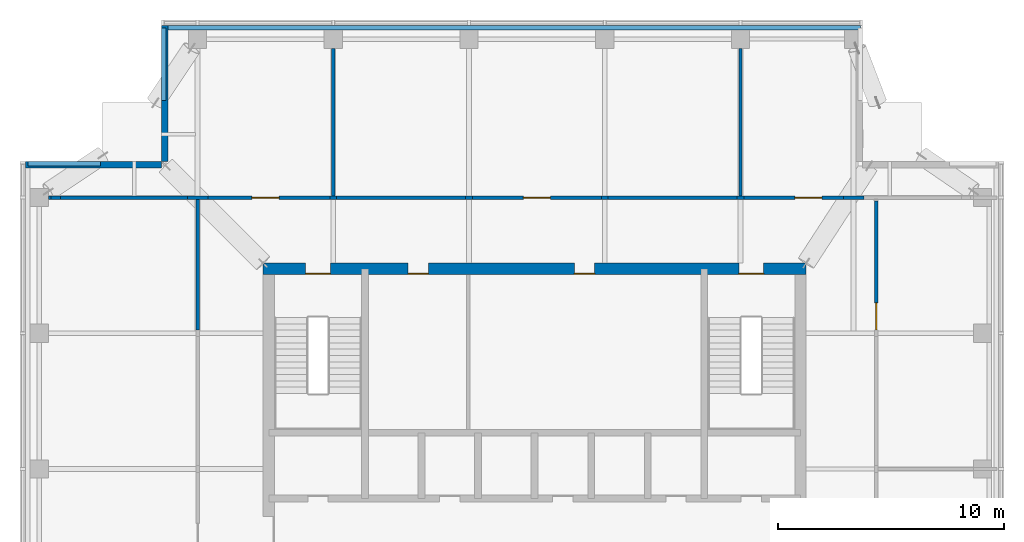
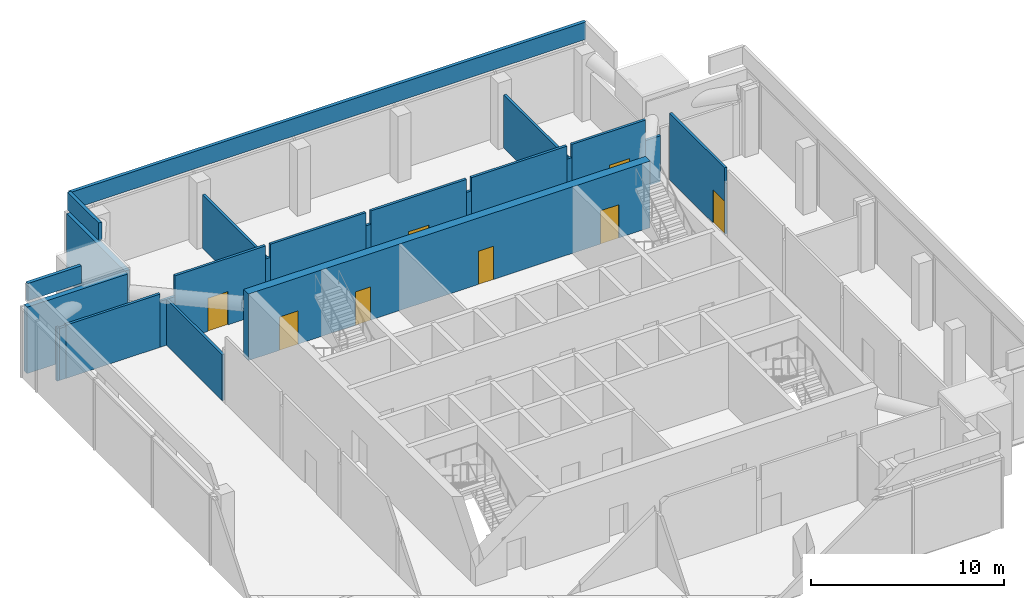
# One storey, part 6 of 11: 24 walls, 8 doors, 8 openings.
"""IFC4 building model written with IfcOpenShell, lengths in metres."""

from ifc_helpers import new_model, si_unit, direction, frame, frame_2d, origin, place, context, subcontext, project, spatial, rectangle, extrude, material, layer, layer_set, type_object, element, fill, save


model = new_model("IFC4")

# Units and contexts
model_context = context("Model", 3, precision=1e-05, world=origin(), true_north=direction((0.0, 1.0)))
body_context = subcontext(model_context, "Body", "Model", "MODEL_VIEW")
ifc_project = project(units=[si_unit("LENGTHUNIT", "METRE"), si_unit("AREAUNIT", "SQUARE_METRE"), si_unit("VOLUMEUNIT", "CUBIC_METRE"), si_unit("PLANEANGLEUNIT", "RADIAN"), si_unit("MASSUNIT", "GRAM", prefix="KILO")], contexts=[model_context])

# Site, building, storey
site_placement = place(None, origin())
site = spatial("IfcSite", under=ifc_project, at=site_placement, CompositionType="ELEMENT")
building_placement = place(site_placement, origin())
building = spatial("IfcBuilding", under=site, at=building_placement, Name="Amberfall Residences", CompositionType="ELEMENT")
storey_placement = place(building_placement, frame((0.0, 0.0, 286.300048828125)))
storey = spatial("IfcBuildingStorey", under=building, at=storey_placement, Name="L77 Crown", CompositionType="ELEMENT", Elevation=286.300048828125)

# Wall, openings, doors
ifc_material_1 = material(Name="Concrete C50", Category="concrete")
ifc_layer_1 = layer(ifc_material_1, 0.5)
ifc_layer_set_1 = layer_set([ifc_layer_1], Name="Core wall 500 C50")
wall_type_1 = type_object("IfcWallType", Name="Core wall 500 C50", PredefinedType="SHEAR", material=ifc_layer_set_1)
wall_1_placement = place(storey_placement, frame((62.5, 57.25, 0.0), z_axis=(0.0, 0.0, 1.0), x_axis=(1.0, 0.0, 0.0)))
wall_1 = element("IfcWall", 1, at=wall_1_placement, inside=storey, type_object=wall_type_1, Name="Core wall RW9 L77 Crown ON", PredefinedType="SHEAR", context=body_context, shape_type="SweptSolid", body=[
    extrude(rectangle(XDim=24.0, YDim=0.5, at=frame_2d((12.0, 0.0))), origin(), (0.0, 0.0, 1.0), 4.199951171875),
])
opening_1_placement = place(wall_1_placement, frame((21.02490234375, 0.0, 0.0)))
opening_1 = element("IfcOpeningElement", 2, at=opening_1_placement, cuts=wall_1, Name="Opening SD1", PredefinedType="OPENING", context=body_context, shape_type="SweptSolid", body=[
    extrude(rectangle(XDim=1.10009765625, YDim=2.10009765625, at=frame_2d((0.550048828125, 1.050048828125))), frame((0.0, 0.260009765625, 0.0), z_axis=(0.0, -1.0, 0.0), x_axis=(1.0, 0.0, 0.0)), (0.0, 0.0, 1.0), 0.52001953125),
])
opening_2_placement = place(wall_1_placement, frame((1.875, 0.0, 0.0)))
opening_2 = element("IfcOpeningElement", 3, at=opening_2_placement, cuts=wall_1, Name="Opening SD1", PredefinedType="OPENING", context=body_context, shape_type="SweptSolid", body=[
    extrude(rectangle(XDim=1.10009765625, YDim=2.10009765625, at=frame_2d((0.550048828125, 1.050048828125))), frame((0.0, 0.260009765625, 0.0), z_axis=(0.0, -1.0, 0.0), x_axis=(1.0, 0.0, 0.0)), (0.0, 0.0, 1.0), 0.52001953125),
])
opening_3_placement = place(wall_1_placement, frame((6.405029296875, 0.0, 0.0)))
opening_3 = element("IfcOpeningElement", 4, at=opening_3_placement, cuts=wall_1, Name="Opening RD1", PredefinedType="OPENING", context=body_context, shape_type="SweptSolid", body=[
    extrude(rectangle(XDim=0.89990234375, YDim=2.10009765625, at=frame_2d((0.449951171875, 1.050048828125))), frame((0.0, 0.260009765625, 0.0), z_axis=(0.0, -1.0, 0.0), x_axis=(1.0, 0.0, 0.0)), (0.0, 0.0, 1.0), 0.52001953125),
])
opening_4_placement = place(wall_1_placement, frame((13.7548828125, 0.0, 0.0)))
opening_4 = element("IfcOpeningElement", 5, at=opening_4_placement, cuts=wall_1, Name="Opening RD1", PredefinedType="OPENING", context=body_context, shape_type="SweptSolid", body=[
    extrude(rectangle(XDim=0.89990234375, YDim=2.10009765625, at=frame_2d((0.449951171875, 1.050048828125))), frame((0.0, 0.260009765625, 0.0), z_axis=(0.0, -1.0, 0.0), x_axis=(1.0, 0.0, 0.0)), (0.0, 0.0, 1.0), 0.52001953125),
])
ifc_material_2 = material(Name="Steel fire door set", Category="steel")
door_type_1 = type_object("IfcDoorType", Name="Service room door 900 x 2100", OperationType="SINGLE_SWING_LEFT", PredefinedType="DOOR", material=ifc_material_2)
door_1_placement = place(opening_3_placement, origin())
door_1 = element("IfcDoor", 6, at=door_1_placement, inside=storey, type_object=door_type_1, Name="RD1 L77 Crown", OperationType="SINGLE_SWING_RIGHT", OverallHeight=2.10009765625, OverallWidth=0.89990234375, PredefinedType="DOOR", context=body_context, shape_type="SweptSolid", body=[
    extrude(rectangle(XDim=0.89990234375, YDim=2.10009765625, at=frame_2d((0.449951171875, 1.050048828125))), frame((0.0, -0.1875, 0.0), z_axis=(0.0, -1.0, 0.0), x_axis=(1.0, 0.0, 0.0)), (0.0, 0.0, 1.0), 0.050048828125),
])
fill(opening_3, door_1)
door_2_placement = place(opening_4_placement, origin())
door_2 = element("IfcDoor", 7, at=door_2_placement, inside=storey, type_object=door_type_1, Name="RD1 L77 Crown", OperationType="SINGLE_SWING_RIGHT", OverallHeight=2.10009765625, OverallWidth=0.89990234375, PredefinedType="DOOR", context=body_context, shape_type="SweptSolid", body=[
    extrude(rectangle(XDim=0.89990234375, YDim=2.10009765625, at=frame_2d((0.449951171875, 1.050048828125))), frame((0.0, -0.1875, 0.0), z_axis=(0.0, -1.0, 0.0), x_axis=(1.0, 0.0, 0.0)), (0.0, 0.0, 1.0), 0.050048828125),
])
fill(opening_4, door_2)
door_type_2 = type_object("IfcDoorType", Name="Stair door 1100 x 2100", OperationType="SINGLE_SWING_LEFT", PredefinedType="DOOR", material=ifc_material_2)
door_3_placement = place(opening_1_placement, origin())
door_3 = element("IfcDoor", 8, at=door_3_placement, inside=storey, type_object=door_type_2, Name="SD1 L77 Crown", OperationType="SINGLE_SWING_RIGHT", OverallHeight=2.10009765625, OverallWidth=1.10009765625, PredefinedType="DOOR", context=body_context, shape_type="SweptSolid", body=[
    extrude(rectangle(XDim=1.10009765625, YDim=2.10009765625, at=frame_2d((0.550048828125, 1.050048828125))), frame((0.0, -0.1875, 0.0), z_axis=(0.0, -1.0, 0.0), x_axis=(1.0, 0.0, 0.0)), (0.0, 0.0, 1.0), 0.050048828125),
])
fill(opening_1, door_3)
door_4_placement = place(opening_2_placement, origin())
door_4 = element("IfcDoor", 9, at=door_4_placement, inside=storey, type_object=door_type_2, Name="SD1 L77 Crown", OperationType="SINGLE_SWING_LEFT", OverallHeight=2.10009765625, OverallWidth=1.10009765625, PredefinedType="DOOR", context=body_context, shape_type="SweptSolid", body=[
    extrude(rectangle(XDim=1.10009765625, YDim=2.10009765625, at=frame_2d((0.550048828125, 1.050048828125))), frame((0.0, -0.1875, 0.0), z_axis=(0.0, -1.0, 0.0), x_axis=(1.0, 0.0, 0.0)), (0.0, 0.0, 1.0), 0.050048828125),
])
fill(opening_2, door_4)

# Walls
ifc_material_3 = material(Name="Bronze aluminium louvre cladding on insulated backing", Category="aluminium")
ifc_layer_2 = layer(ifc_material_3, 0.300048828125)
ifc_layer_set_2 = layer_set([ifc_layer_2], Name="Louvre clad wall 300")
wall_type_2 = type_object("IfcWallType", Name="Louvre clad wall 300", PredefinedType="SOLIDWALL", material=ifc_layer_set_2)
for number, where, z_axis, x_axis, name in (
    (10, (58.14990234375, 68.0, 0.0), (0.0, 0.0, 1.0), (0.0, -1.0, 0.0), "External wall L77 Crown NW"),
    (11, (58.0, 61.85009765625, 0.0), (0.0, 0.0, 1.0), (-1.0, 0.0, 0.0), "External wall L77 Crown NW"),
):
    element("IfcWall", number, at=place(storey_placement, frame(where, z_axis=z_axis, x_axis=x_axis)), inside=storey, type_object=wall_type_2, Name=name, PredefinedType="SOLIDWALL", context=body_context, shape_type="SweptSolid", body=[
        extrude(rectangle(XDim=6.0, YDim=0.300048828125, at=frame_2d((3.0, 0.0))), origin(), (0.0, 0.0, 1.0), 4.199951171875),
    ])
ifc_material_4 = material(Name="Fire-rated gypsum board on steel studs", Category="steel")
ifc_layer_3 = layer(ifc_material_4, 0.14990234375)
ifc_layer_set_3 = layer_set([ifc_layer_3], Name="Partition 150 fire-rated")
wall_type_3 = type_object("IfcWallType", Name="Partition 150 fire-rated", PredefinedType="PARTITIONING", material=ifc_layer_set_3)
wall_2_placement = place(storey_placement, frame((53.0, 60.39990234375, 0.0), z_axis=(0.0, 0.0, 1.0), x_axis=(1.0, 0.0, 0.0)))
element("IfcWall", 12, at=wall_2_placement, inside=storey, type_object=wall_type_3, Name="Partition 150 fire-rated L77 Crown 015", PredefinedType="PARTITIONING", context=body_context, shape_type="SweptSolid", body=[
    extrude(rectangle(XDim=0.127685546875, YDim=0.14990234375, at=frame_2d((0.06396484375, 0.0))), origin(), (0.0, 0.0, 1.0), 3.364990234375),
])
wall_3_placement = place(storey_placement, frame((53.127685546875, 60.39990234375, 0.0), z_axis=(0.0, 0.0, 1.0), x_axis=(1.0, 0.0, 0.0)))
element("IfcWall", 13, at=wall_3_placement, inside=storey, type_object=wall_type_3, Name="Partition 150 fire-rated L77 Crown 016", PredefinedType="PARTITIONING", context=body_context, shape_type="SweptSolid", body=[
    extrude(rectangle(XDim=0.408935546875, YDim=0.14990234375, at=frame_2d((0.20458984375, 0.0))), origin(), (0.0, 0.0, 1.0), 3.285888671875),
])
wall_4_placement = place(storey_placement, frame((53.53662109375, 60.39990234375, 0.0), z_axis=(0.0, 0.0, 1.0), x_axis=(1.0, 0.0, 0.0)))
element("IfcWall", 14, at=wall_4_placement, inside=storey, type_object=wall_type_3, Name="Partition 150 fire-rated L77 Crown 017", PredefinedType="PARTITIONING", context=body_context, shape_type="SweptSolid", body=[
    extrude(rectangle(XDim=5.61328125, YDim=0.14990234375, at=frame_2d((2.806640625, 0.0))), origin(), (0.0, 0.0, 1.0), 3.364990234375),
])
wall_5_placement = place(storey_placement, frame((59.14990234375, 60.39990234375, 0.0), z_axis=(0.0, 0.0, 1.0), x_axis=(1.0, 0.0, 0.0)))
element("IfcWall", 15, at=wall_5_placement, inside=storey, type_object=wall_type_3, Name="Partition 150 fire-rated L77 Crown 018", PredefinedType="PARTITIONING", context=body_context, shape_type="SweptSolid", body=[
    extrude(rectangle(XDim=0.900146484375, YDim=0.14990234375, at=frame_2d((0.4501953125, 0.0))), origin(), (0.0, 0.0, 1.0), 2.89697265625),
])

# Wall, opening, door
wall_6_placement = place(storey_placement, frame((60.050048828125, 60.39990234375, 0.0), z_axis=(0.0, 0.0, 1.0), x_axis=(1.0, 0.0, 0.0)))
wall_6 = element("IfcWall", 16, at=wall_6_placement, inside=storey, type_object=wall_type_3, Name="Partition 150 fire-rated L77 Crown 019", PredefinedType="PARTITIONING", context=body_context, shape_type="SweptSolid", body=[
    extrude(rectangle(XDim=5.404052734375, YDim=0.14990234375, at=frame_2d((2.7021484375, 0.0))), origin(), (0.0, 0.0, 1.0), 4.199951171875),
])
opening_5_placement = place(wall_6_placement, frame((1.949951171875, 0.0, 0.0)))
opening_5 = element("IfcOpeningElement", 17, at=opening_5_placement, cuts=wall_6, Name="Opening D7", PredefinedType="OPENING", context=body_context, shape_type="SweptSolid", body=[
    extrude(rectangle(XDim=1.199951171875, YDim=2.10009765625, at=frame_2d((0.60009765625, 1.050048828125))), frame((0.0, 0.0849609375, 0.0), z_axis=(0.0, -1.0, 0.0), x_axis=(1.0, 0.0, 0.0)), (0.0, 0.0, 1.0), 0.169921875),
])
ifc_material_5 = material(Name="Steel fire door leaf", Category="steel")
door_type_3 = type_object("IfcDoorType", Name="Plant room door 1200x2100", OperationType="SINGLE_SWING_LEFT", PredefinedType="DOOR", material=ifc_material_5)
door_5_placement = place(opening_5_placement, origin())
door_5 = element("IfcDoor", 18, at=door_5_placement, inside=storey, type_object=door_type_3, Name="Door Plant control room", OperationType="SINGLE_SWING_LEFT", OverallHeight=2.10009765625, OverallWidth=1.199951171875, PredefinedType="DOOR", context=body_context, shape_type="SweptSolid", body=[
    extrude(rectangle(XDim=1.199951171875, YDim=2.10009765625, at=frame_2d((0.60009765625, 1.050048828125))), frame((0.0, 0.02490234375, 0.0), z_axis=(0.0, -1.0, 0.0), x_axis=(1.0, 0.0, 0.0)), (0.0, 0.0, 1.0), 0.050048828125),
])
fill(opening_5, door_5)

# Walls
wall_7_placement = place(storey_placement, frame((65.4541015625, 60.39990234375, 0.0), z_axis=(0.0, 0.0, 1.0), x_axis=(1.0, 0.0, 0.0)))
element("IfcWall", 19, at=wall_7_placement, inside=storey, type_object=wall_type_3, Name="Partition 150 fire-rated L77 Crown 020", PredefinedType="PARTITIONING", context=body_context, shape_type="SweptSolid", body=[
    extrude(rectangle(XDim=0.291748046875, YDim=0.14990234375, at=frame_2d((0.14599609375, 0.0))), origin(), (0.0, 0.0, 1.0), 3.364990234375),
])
wall_8_placement = place(storey_placement, frame((65.745849609375, 60.39990234375, 0.0), z_axis=(0.0, 0.0, 1.0), x_axis=(1.0, 0.0, 0.0)))
element("IfcWall", 20, at=wall_8_placement, inside=storey, type_object=wall_type_3, Name="Partition 150 fire-rated L77 Crown 021", PredefinedType="PARTITIONING", context=body_context, shape_type="SweptSolid", body=[
    extrude(rectangle(XDim=5.708251953125, YDim=0.14990234375, at=frame_2d((2.85400390625, 0.0))), origin(), (0.0, 0.0, 1.0), 4.199951171875),
])
wall_9_placement = place(storey_placement, frame((71.4541015625, 60.39990234375, 0.0), z_axis=(0.0, 0.0, 1.0), x_axis=(1.0, 0.0, 0.0)))
element("IfcWall", 21, at=wall_9_placement, inside=storey, type_object=wall_type_3, Name="Partition 150 fire-rated L77 Crown 022", PredefinedType="PARTITIONING", context=body_context, shape_type="SweptSolid", body=[
    extrude(rectangle(XDim=0.291748046875, YDim=0.14990234375, at=frame_2d((0.14599609375, 0.0))), origin(), (0.0, 0.0, 1.0), 3.364990234375),
])

# Wall, opening, door
wall_10_placement = place(storey_placement, frame((71.745849609375, 60.39990234375, 0.0), z_axis=(0.0, 0.0, 1.0), x_axis=(1.0, 0.0, 0.0)))
wall_10 = element("IfcWall", 22, at=wall_10_placement, inside=storey, type_object=wall_type_3, Name="Partition 150 fire-rated L77 Crown 023", PredefinedType="PARTITIONING", context=body_context, shape_type="SweptSolid", body=[
    extrude(rectangle(XDim=5.708251953125, YDim=0.14990234375, at=frame_2d((2.85400390625, 0.0))), origin(), (0.0, 0.0, 1.0), 4.199951171875),
])
opening_6_placement = place(wall_10_placement, frame((2.254150390625, 0.0, 0.0)))
opening_6 = element("IfcOpeningElement", 23, at=opening_6_placement, cuts=wall_10, Name="Opening D7", PredefinedType="OPENING", context=body_context, shape_type="SweptSolid", body=[
    extrude(rectangle(XDim=1.199951171875, YDim=2.10009765625, at=frame_2d((0.60009765625, 1.050048828125))), frame((0.0, 0.0849609375, 0.0), z_axis=(0.0, -1.0, 0.0), x_axis=(1.0, 0.0, 0.0)), (0.0, 0.0, 1.0), 0.169921875),
])
door_6_placement = place(opening_6_placement, origin())
door_6 = element("IfcDoor", 24, at=door_6_placement, inside=storey, type_object=door_type_3, Name="Door Water tank room", OperationType="SINGLE_SWING_LEFT", OverallHeight=2.10009765625, OverallWidth=1.199951171875, PredefinedType="DOOR", context=body_context, shape_type="SweptSolid", body=[
    extrude(rectangle(XDim=1.199951171875, YDim=2.10009765625, at=frame_2d((0.60009765625, 1.050048828125))), frame((0.0, 0.02490234375, 0.0), z_axis=(0.0, -1.0, 0.0), x_axis=(1.0, 0.0, 0.0)), (0.0, 0.0, 1.0), 0.050048828125),
])
fill(opening_6, door_6)

# Walls
wall_11_placement = place(storey_placement, frame((77.4541015625, 60.39990234375, 0.0), z_axis=(0.0, 0.0, 1.0), x_axis=(1.0, 0.0, 0.0)))
element("IfcWall", 25, at=wall_11_placement, inside=storey, type_object=wall_type_3, Name="Partition 150 fire-rated L77 Crown 024", PredefinedType="PARTITIONING", context=body_context, shape_type="SweptSolid", body=[
    extrude(rectangle(XDim=0.291748046875, YDim=0.14990234375, at=frame_2d((0.14599609375, 0.0))), origin(), (0.0, 0.0, 1.0), 3.364990234375),
])
wall_12_placement = place(storey_placement, frame((77.745849609375, 60.39990234375, 0.0), z_axis=(0.0, 0.0, 1.0), x_axis=(1.0, 0.0, 0.0)))
element("IfcWall", 26, at=wall_12_placement, inside=storey, type_object=wall_type_3, Name="Partition 150 fire-rated L77 Crown 025", PredefinedType="PARTITIONING", context=body_context, shape_type="SweptSolid", body=[
    extrude(rectangle(XDim=5.708251953125, YDim=0.14990234375, at=frame_2d((2.85400390625, 0.0))), origin(), (0.0, 0.0, 1.0), 4.199951171875),
])
wall_13_placement = place(storey_placement, frame((83.4541015625, 60.39990234375, 0.0), z_axis=(0.0, 0.0, 1.0), x_axis=(1.0, 0.0, 0.0)))
element("IfcWall", 27, at=wall_13_placement, inside=storey, type_object=wall_type_3, Name="Partition 150 fire-rated L77 Crown 026", PredefinedType="PARTITIONING", context=body_context, shape_type="SweptSolid", body=[
    extrude(rectangle(XDim=0.291748046875, YDim=0.14990234375, at=frame_2d((0.14599609375, 0.0))), origin(), (0.0, 0.0, 1.0), 3.364990234375),
])

# Wall, opening, door
wall_14_placement = place(storey_placement, frame((83.745849609375, 60.39990234375, 0.0), z_axis=(0.0, 0.0, 1.0), x_axis=(1.0, 0.0, 0.0)))
wall_14 = element("IfcWall", 28, at=wall_14_placement, inside=storey, type_object=wall_type_3, Name="Partition 150 fire-rated L77 Crown 027", PredefinedType="PARTITIONING", context=body_context, shape_type="SweptSolid", body=[
    extrude(rectangle(XDim=4.404052734375, YDim=0.14990234375, at=frame_2d((2.2021484375, 0.0))), origin(), (0.0, 0.0, 1.0), 4.199951171875),
])
opening_7_placement = place(wall_14_placement, frame((2.254150390625, 0.0, 0.0)))
opening_7 = element("IfcOpeningElement", 29, at=opening_7_placement, cuts=wall_14, Name="Opening D7", PredefinedType="OPENING", context=body_context, shape_type="SweptSolid", body=[
    extrude(rectangle(XDim=1.199951171875, YDim=2.10009765625, at=frame_2d((0.60009765625, 1.050048828125))), frame((0.0, 0.0849609375, 0.0), z_axis=(0.0, -1.0, 0.0), x_axis=(1.0, 0.0, 0.0)), (0.0, 0.0, 1.0), 0.169921875),
])
door_7_placement = place(opening_7_placement, origin())
door_7 = element("IfcDoor", 30, at=door_7_placement, inside=storey, type_object=door_type_3, Name="Door Switch room", OperationType="SINGLE_SWING_LEFT", OverallHeight=2.10009765625, OverallWidth=1.199951171875, PredefinedType="DOOR", context=body_context, shape_type="SweptSolid", body=[
    extrude(rectangle(XDim=1.199951171875, YDim=2.10009765625, at=frame_2d((0.60009765625, 1.050048828125))), frame((0.0, 0.02490234375, 0.0), z_axis=(0.0, -1.0, 0.0), x_axis=(1.0, 0.0, 0.0)), (0.0, 0.0, 1.0), 0.050048828125),
])
fill(opening_7, door_7)

# Walls
wall_15_placement = place(storey_placement, frame((88.14990234375, 60.39990234375, 0.0), z_axis=(0.0, 0.0, 1.0), x_axis=(1.0, 0.0, 0.0)))
element("IfcWall", 31, at=wall_15_placement, inside=storey, type_object=wall_type_3, Name="Partition 150 fire-rated L77 Crown 028", PredefinedType="PARTITIONING", context=body_context, shape_type="SweptSolid", body=[
    extrude(rectangle(XDim=0.900146484375, YDim=0.14990234375, at=frame_2d((0.4501953125, 0.0))), origin(), (0.0, 0.0, 1.0), 2.89697265625),
])
wall_16_placement = place(storey_placement, frame((59.60009765625, 54.5458984375, 0.0), z_axis=(0.0, 0.0, 1.0), x_axis=(0.0, 1.0, 0.0)))
element("IfcWall", 32, at=wall_16_placement, inside=storey, type_object=wall_type_3, Name="Partition 150 fire-rated L77 Crown 041", PredefinedType="PARTITIONING", context=body_context, shape_type="SweptSolid", body=[
    extrude(rectangle(XDim=5.779052734375, YDim=0.14990234375, at=frame_2d((2.8896484375, 0.0))), origin(), (0.0, 0.0, 1.0), 2.89697265625),
])
for number, where, z_axis, x_axis, name in (
    (33, (65.60009765625, 60.47509765625, 0.0), (0.0, 0.0, 1.0), (0.0, 1.0, 0.0), "Partition 150 fire-rated L77 Crown 042"),
    (34, (83.60009765625, 60.47509765625, 0.0), (0.0, 0.0, 1.0), (0.0, 1.0, 0.0), "Partition 150 fire-rated L77 Crown 047"),
):
    element("IfcWall", number, at=place(storey_placement, frame(where, z_axis=z_axis, x_axis=x_axis)), inside=storey, type_object=wall_type_3, Name=name, PredefinedType="PARTITIONING", context=body_context, shape_type="SweptSolid", body=[
        extrude(rectangle(XDim=6.52490234375, YDim=0.14990234375, at=frame_2d((3.262451171875, 0.0))), origin(), (0.0, 0.0, 1.0), 3.364990234375),
    ])

# Wall, opening, door
wall_17_placement = place(storey_placement, frame((89.60009765625, 54.5458984375, 0.0), z_axis=(0.0, 0.0, 1.0), x_axis=(0.0, 1.0, 0.0)))
wall_17 = element("IfcWall", 35, at=wall_17_placement, inside=storey, type_object=wall_type_3, Name="Partition 150 fire-rated L77 Crown 057", PredefinedType="PARTITIONING", context=body_context, shape_type="SweptSolid", body=[
    extrude(rectangle(XDim=5.708251953125, YDim=0.14990234375, at=frame_2d((2.85400390625, 0.0))), origin(), (0.0, 0.0, 1.0), 4.199951171875),
])
opening_8_placement = place(wall_17_placement, frame((0.004150390625, 0.0, 0.0)))
opening_8 = element("IfcOpeningElement", 36, at=opening_8_placement, cuts=wall_17, Name="Opening D7", PredefinedType="OPENING", context=body_context, shape_type="SweptSolid", body=[
    extrude(rectangle(XDim=1.199951171875, YDim=2.10009765625, at=frame_2d((0.60009765625, 1.050048828125))), frame((0.0, 0.0849609375, 0.0), z_axis=(0.0, -1.0, 0.0), x_axis=(1.0, 0.0, 0.0)), (0.0, 0.0, 1.0), 0.169921875),
])
door_8_placement = place(opening_8_placement, origin())
door_8 = element("IfcDoor", 37, at=door_8_placement, inside=storey, type_object=door_type_3, Name="Door Fire pump plant room", OperationType="SINGLE_SWING_LEFT", OverallHeight=2.10009765625, OverallWidth=1.199951171875, PredefinedType="DOOR", context=body_context, shape_type="SweptSolid", body=[
    extrude(rectangle(XDim=1.199951171875, YDim=2.10009765625, at=frame_2d((0.60009765625, 1.050048828125))), frame((0.0, 0.02490234375, 0.0), z_axis=(0.0, -1.0, 0.0), x_axis=(1.0, 0.0, 0.0)), (0.0, 0.0, 1.0), 0.050048828125),
])
fill(opening_8, door_8)

# Walls
ifc_material_6 = material(Name="Reinforced concrete C50", Category="concrete")
ifc_layer_4 = layer(ifc_material_6, 0.199951171875)
ifc_layer_set_4 = layer_set([ifc_layer_4], Name="Roof parapet 200")
wall_type_4 = type_object("IfcWallType", Name="Roof parapet 200", PredefinedType="PARAPET", material=ifc_layer_set_4)
for number, where, z_axis, x_axis, name in (
    (38, (52.10009765625, 61.89990234375, 4.5), (0.0, 0.0, 1.0), (1.0, 0.0, 0.0), "Roof parapet"),
    (39, (58.10009765625, 64.699951171875, 4.5), (0.0, 0.0, 1.0), (0.0, 1.0, 0.0), "Roof parapet"),
):
    element("IfcWall", number, at=place(storey_placement, frame(where, z_axis=z_axis, x_axis=x_axis)), inside=storey, type_object=wall_type_4, Name=name, PredefinedType="PARAPET", context=body_context, shape_type="SweptSolid", body=[
        extrude(rectangle(XDim=3.199951171875, YDim=0.199951171875, at=frame_2d((1.60009765625, 0.0))), origin(), (0.0, 0.0, 1.0), 1.099853515625),
    ])
wall_18_placement = place(storey_placement, frame((58.10009765625, 67.89990234375, 4.5), z_axis=(0.0, 0.0, 1.0), x_axis=(1.0, 0.0, 0.0)))
element("IfcWall", 40, at=wall_18_placement, inside=storey, type_object=wall_type_4, Name="Roof parapet", PredefinedType="PARAPET", context=body_context, shape_type="SweptSolid", body=[
    extrude(rectangle(XDim=30.7998046875, YDim=0.199951171875, at=frame_2d((15.39990234375, 0.0))), origin(), (0.0, 0.0, 1.0), 1.099853515625),
])

save(model, "model.ifc")
